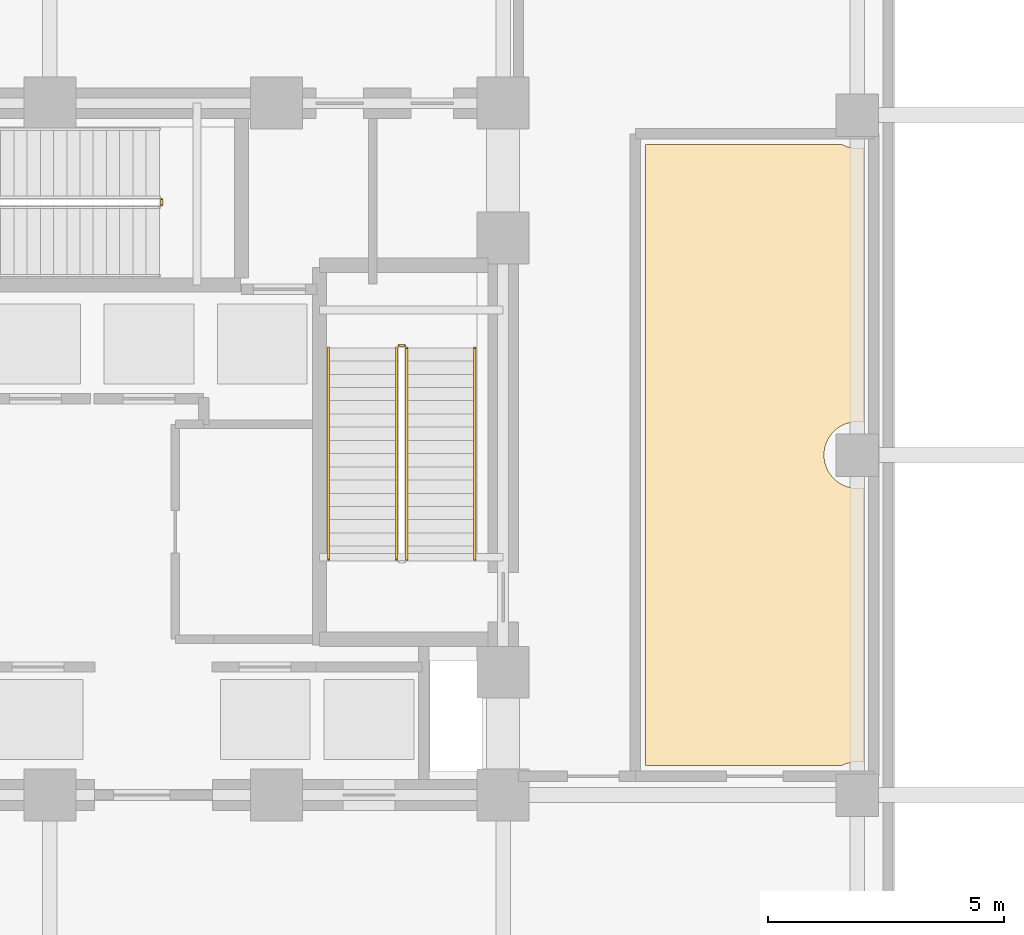
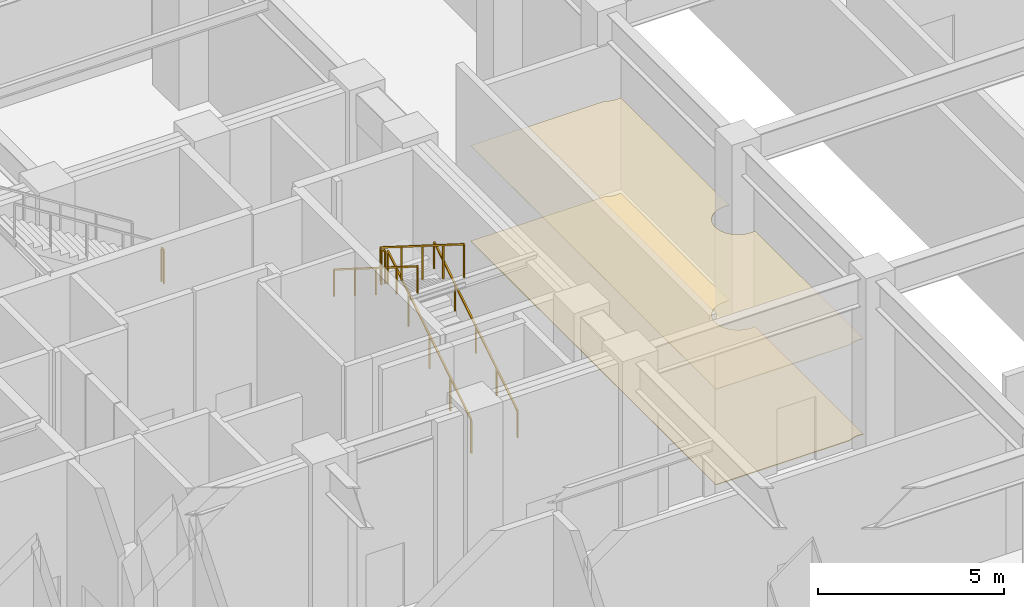
# One storey, part 20 of 23: 6 railings, 2 coverings.
"""IFC4 building model written with IfcOpenShell, lengths in metres."""

from ifc_helpers import new_model, si_unit, direction, frame, origin, origin_2d, place, context, subcontext, project, spatial, polyline, rectangle, outline, extrude, material, layer, layer_set, type_object, element, save


model = new_model("IFC4")

# Units and contexts
model_context = context("Model", 3, precision=1e-05, world=origin(), true_north=direction((0.0, 1.0)))
body_context = subcontext(model_context, "Body", "Model", "MODEL_VIEW")
ifc_project = project(units=[si_unit("LENGTHUNIT", "METRE"), si_unit("AREAUNIT", "SQUARE_METRE"), si_unit("VOLUMEUNIT", "CUBIC_METRE"), si_unit("PLANEANGLEUNIT", "RADIAN"), si_unit("MASSUNIT", "GRAM", prefix="KILO")], contexts=[model_context])

# Site, building, storey
site_placement = place(None, origin())
site = spatial("IfcSite", under=ifc_project, at=site_placement, CompositionType="ELEMENT")
building_placement = place(site_placement, origin())
building = spatial("IfcBuilding", under=site, at=building_placement, Name="Vantalir Tower", CompositionType="ELEMENT")
storey_placement = place(building_placement, origin())
storey = spatial("IfcBuildingStorey", under=building, at=storey_placement, Name="L00", CompositionType="ELEMENT", Elevation=0.0)

# Coverings
ifc_material_1 = material(Name="Perforated acoustic gypsum ceiling board", Category="gypsum")
ifc_layer_1 = layer(ifc_material_1, 0.02001953125)
ifc_layer_set_1 = layer_set([ifc_layer_1], Name="Perforated acoustic gypsum ceiling board")
covering_type_1 = type_object("IfcCoveringType", Name="COV-ACOUSTIC-CEIL-20", PredefinedType="CEILING", material=ifc_layer_set_1)
covering_1_placement = place(storey_placement, frame((0.0, 0.0, 3.1298828125)))
element("IfcCovering", 1, at=covering_1_placement, inside=storey, type_object=covering_type_1, Name="L00 Riverfront Tea Salon Suspended Ceiling", PredefinedType="CEILING", context=body_context, shape_type="SweptSolid", body=[
    extrude(outline(polyline([(48.72998046875, 31.507080078125), (48.6689453125, 31.498046875), (48.60009765625, 31.4951171875), (48.531005859375, 31.498046875), (48.4619140625, 31.509033203125), (48.39501953125, 31.52490234375), (48.330078125, 31.549072265625), (48.264892578125, 31.580078125), (44.1201171875, 31.580078125), (44.1201171875, 18.419921875), (48.26806640625, 18.422119140625), (48.330078125, 18.450927734375), (48.39501953125, 18.47509765625), (48.4619140625, 18.490966796875), (48.531005859375, 18.501953125), (48.60009765625, 18.5048828125), (48.6689453125, 18.501953125), (48.72998046875, 18.492919921875), (48.72998046875, 24.306884765625), (48.6689453125, 24.298095703125), (48.60009765625, 24.294921875), (48.531005859375, 24.298095703125), (48.4619140625, 24.30908203125), (48.39501953125, 24.324951171875), (48.330078125, 24.34912109375), (48.26806640625, 24.3779296875), (48.2080078125, 24.4140625), (48.153076171875, 24.455078125), (48.10107421875, 24.5009765625), (48.054931640625, 24.552978515625), (48.013916015625, 24.60791015625), (47.97802734375, 24.66796875), (47.948974609375, 24.72998046875), (47.925048828125, 24.794921875), (47.908935546875, 24.862060546875), (47.89794921875, 24.930908203125), (47.89501953125, 25.0), (47.89794921875, 25.069091796875), (47.908935546875, 25.137939453125), (47.925048828125, 25.205078125), (47.948974609375, 25.27001953125), (47.97802734375, 25.33203125), (48.013916015625, 25.39208984375), (48.054931640625, 25.447021484375), (48.10107421875, 25.4990234375), (48.153076171875, 25.544921875), (48.2080078125, 25.5859375), (48.26806640625, 25.6220703125), (48.330078125, 25.65087890625), (48.39501953125, 25.675048828125), (48.4619140625, 25.69091796875), (48.531005859375, 25.701904296875), (48.60009765625, 25.705078125), (48.6689453125, 25.701904296875), (48.72998046875, 25.693115234375), (48.72998046875, 31.507080078125)])), origin(), (0.0, 0.0, 1.0), 0.02001953125),
])
ifc_material_2 = material(Name="Tropical teak timber and terrazzo floor finish", Category="wood")
ifc_layer_2 = layer(ifc_material_2, 0.02490234375)
ifc_layer_set_2 = layer_set([ifc_layer_2], Name="Tropical teak timber and terrazzo floor finish")
covering_type_2 = type_object("IfcCoveringType", Name="COV-TIMBER-STONE-25", PredefinedType="FLOORING", material=ifc_layer_set_2)
covering_2_placement = place(storey_placement, origin())
element("IfcCovering", 2, at=covering_2_placement, inside=storey, type_object=covering_type_2, Name="L00 Riverfront Tea Salon Floor Finish", PredefinedType="FLOORING", context=body_context, shape_type="SweptSolid", body=[
    extrude(outline(polyline([(48.72998046875, 31.507080078125), (48.6689453125, 31.498046875), (48.60009765625, 31.4951171875), (48.531005859375, 31.498046875), (48.4619140625, 31.509033203125), (48.39501953125, 31.52490234375), (48.330078125, 31.549072265625), (48.264892578125, 31.580078125), (44.1201171875, 31.580078125), (44.1201171875, 18.419921875), (48.26806640625, 18.422119140625), (48.330078125, 18.450927734375), (48.39501953125, 18.47509765625), (48.4619140625, 18.490966796875), (48.531005859375, 18.501953125), (48.60009765625, 18.5048828125), (48.6689453125, 18.501953125), (48.72998046875, 18.492919921875), (48.72998046875, 24.306884765625), (48.6689453125, 24.298095703125), (48.60009765625, 24.294921875), (48.531005859375, 24.298095703125), (48.4619140625, 24.30908203125), (48.39501953125, 24.324951171875), (48.330078125, 24.34912109375), (48.26806640625, 24.3779296875), (48.2080078125, 24.4140625), (48.153076171875, 24.455078125), (48.10107421875, 24.5009765625), (48.054931640625, 24.552978515625), (48.013916015625, 24.60791015625), (47.97802734375, 24.66796875), (47.948974609375, 24.72998046875), (47.925048828125, 24.794921875), (47.908935546875, 24.862060546875), (47.89794921875, 24.930908203125), (47.89501953125, 25.0), (47.89794921875, 25.069091796875), (47.908935546875, 25.137939453125), (47.925048828125, 25.205078125), (47.948974609375, 25.27001953125), (47.97802734375, 25.33203125), (48.013916015625, 25.39208984375), (48.054931640625, 25.447021484375), (48.10107421875, 25.4990234375), (48.153076171875, 25.544921875), (48.2080078125, 25.5859375), (48.26806640625, 25.6220703125), (48.330078125, 25.65087890625), (48.39501953125, 25.675048828125), (48.4619140625, 25.69091796875), (48.531005859375, 25.701904296875), (48.60009765625, 25.705078125), (48.6689453125, 25.701904296875), (48.72998046875, 25.693115234375), (48.72998046875, 31.507080078125)])), origin(), (0.0, 0.0, 1.0), 0.02490234375),
])

# Railings
ifc_material_3 = material(Name="Anodised aluminium and stainless steel guard", Category="steel")
railing_type_1 = type_object("IfcRailingType", Name="RAL-GUARD-1120", PredefinedType="GUARDRAIL", material=ifc_material_3)
railing_1_placement = place(storey_placement, frame((39.06005859375, 22.7900390625, 0.176513671875)))
element("IfcRailing", 3, at=railing_1_placement, inside=storey, type_object=railing_type_1, Name="L00 ST2 stair guard 1", PredefinedType="GUARDRAIL", context=body_context, shape_type="SweptSolid", body=[
    extrude(rectangle(XDim=0.048095703125, YDim=0.048095703125, at=origin_2d()), frame((0.0, 0.0, 1.09619140625), z_axis=(0.0, 0.845997938375, 0.533186166611), x_axis=(-1.0, 0.0, 0.0)), (0.0, 0.0, 1.0), 5.29541015625),
    extrude(rectangle(XDim=0.0419921875, YDim=0.0419921875, at=origin_2d()), origin(), (0.0, 0.0, 1.0), 1.072021484375),
    extrude(rectangle(XDim=0.0419921875, YDim=0.0419921875, at=origin_2d()), frame((0.0, 1.1201171875, 0.705810546875)), (0.0, 0.0, 1.0), 1.072021484375),
    extrude(rectangle(XDim=0.0419921875, YDim=0.0419921875, at=origin_2d()), frame((0.0, 2.239990234375, 1.41162109375)), (0.0, 0.0, 1.0), 1.072021484375),
    extrude(rectangle(XDim=0.0419921875, YDim=0.0419921875, at=origin_2d()), frame((0.0, 3.35986328125, 2.11767578125)), (0.0, 0.0, 1.0), 1.072021484375),
    extrude(rectangle(XDim=0.0419921875, YDim=0.0419921875, at=origin_2d()), frame((0.0, 4.47998046875, 2.823486328125)), (0.0, 0.0, 1.0), 1.072021484375),
])
railing_2_placement = place(storey_placement, frame((39.010009765625, 27.320068359375, 3.0)))
element("IfcRailing", 4, at=railing_2_placement, inside=storey, type_object=railing_type_1, Name="L00 ST2 stair guard 2", PredefinedType="GUARDRAIL", context=body_context, shape_type="SweptSolid", body=[
    extrude(rectangle(XDim=0.048095703125, YDim=0.048095703125, at=origin_2d()), frame((0.0, 0.0, 1.09619140625), z_axis=(-1.0, 0.0, 0.0), x_axis=(0.0, -1.0, 0.0)), (0.0, 0.0, 1.0), 0.1201171875),
    extrude(rectangle(XDim=0.0419921875, YDim=0.0419921875, at=origin_2d()), origin(), (0.0, 0.0, 1.0), 1.072021484375),
    extrude(rectangle(XDim=0.0419921875, YDim=0.0419921875, at=origin_2d()), frame((-0.1201171875, 0.0, 0.0)), (0.0, 0.0, 1.0), 1.072021484375),
])
railing_3_placement = place(storey_placement, frame((38.840087890625, 27.27001953125, 3.176513671875)))
element("IfcRailing", 5, at=railing_3_placement, inside=storey, type_object=railing_type_1, Name="L00 ST2 stair guard 3", PredefinedType="GUARDRAIL", context=body_context, shape_type="SweptSolid", body=[
    extrude(rectangle(XDim=0.048095703125, YDim=0.048095703125, at=origin_2d()), frame((0.0, 0.0, 1.09619140625), z_axis=(0.0, -0.845997938375, 0.533186166611), x_axis=(1.0, 0.0, 0.0)), (0.0, 0.0, 1.0), 5.29541015625),
    extrude(rectangle(XDim=0.0419921875, YDim=0.0419921875, at=origin_2d()), origin(), (0.0, 0.0, 1.0), 1.072021484375),
    extrude(rectangle(XDim=0.0419921875, YDim=0.0419921875, at=origin_2d()), frame((0.0, -1.1201171875, 0.705810546875)), (0.0, 0.0, 1.0), 1.072021484375),
    extrude(rectangle(XDim=0.0419921875, YDim=0.0419921875, at=origin_2d()), frame((0.0, -2.239990234375, 1.41162109375)), (0.0, 0.0, 1.0), 1.072021484375),
    extrude(rectangle(XDim=0.0419921875, YDim=0.0419921875, at=origin_2d()), frame((0.0, -3.35986328125, 2.11767578125)), (0.0, 0.0, 1.0), 1.072021484375),
    extrude(rectangle(XDim=0.0419921875, YDim=0.0419921875, at=origin_2d()), frame((0.0, -4.47998046875, 2.823486328125)), (0.0, 0.0, 1.0), 1.072021484375),
])
railing_4_placement = place(storey_placement, frame((33.8701171875, 30.2900390625, 3.0)))
element("IfcRailing", 6, at=railing_4_placement, inside=storey, type_object=railing_type_1, Name="L00 ST3 stair guard 2", PredefinedType="GUARDRAIL", context=body_context, shape_type="SweptSolid", body=[
    extrude(rectangle(XDim=0.048095703125, YDim=0.048095703125, at=origin_2d()), frame((0.0, 0.0, 1.09619140625), z_axis=(0.0, 1.0, 0.0), x_axis=(-1.0, 0.0, 0.0)), (0.0, 0.0, 1.0), 0.119873046875),
    extrude(rectangle(XDim=0.0419921875, YDim=0.0419921875, at=origin_2d()), origin(), (0.0, 0.0, 1.0), 1.072021484375),
    extrude(rectangle(XDim=0.0419921875, YDim=0.0419921875, at=origin_2d()), frame((0.0, 0.119873046875, 0.0)), (0.0, 0.0, 1.0), 1.072021484375),
])
ifc_material_4 = material(Name="Brushed stainless steel tubular handrail", Category="steel")
railing_type_2 = type_object("IfcRailingType", Name="RAL-HANDRAIL-900", PredefinedType="HANDRAIL", material=ifc_material_4)
railing_5_placement = place(storey_placement, frame((40.5, 22.7900390625, 0.176513671875)))
element("IfcRailing", 7, at=railing_5_placement, inside=storey, type_object=railing_type_2, Name="L00 ST2 stair handrail 1", PredefinedType="HANDRAIL", context=body_context, shape_type="SweptSolid", body=[
    extrude(rectangle(XDim=0.048095703125, YDim=0.048095703125, at=origin_2d()), frame((0.0, 0.0, 0.8759765625), z_axis=(0.0, 0.845997938375, 0.533186166611), x_axis=(-1.0, 0.0, 0.0)), (0.0, 0.0, 1.0), 5.29541015625),
    extrude(rectangle(XDim=0.0419921875, YDim=0.0419921875, at=origin_2d()), origin(), (0.0, 0.0, 1.0), 0.851806640625),
    extrude(rectangle(XDim=0.0419921875, YDim=0.0419921875, at=origin_2d()), frame((0.0, 1.1201171875, 0.705810546875)), (0.0, 0.0, 1.0), 0.851806640625),
    extrude(rectangle(XDim=0.0419921875, YDim=0.0419921875, at=origin_2d()), frame((0.0, 2.239990234375, 1.41162109375)), (0.0, 0.0, 1.0), 0.851806640625),
    extrude(rectangle(XDim=0.0419921875, YDim=0.0419921875, at=origin_2d()), frame((0.0, 3.35986328125, 2.11767578125)), (0.0, 0.0, 1.0), 0.851806640625),
    extrude(rectangle(XDim=0.0419921875, YDim=0.0419921875, at=origin_2d()), frame((0.0, 4.47998046875, 2.823486328125)), (0.0, 0.0, 1.0), 0.851806640625),
])
railing_6_placement = place(storey_placement, frame((37.39990234375, 27.27001953125, 3.176513671875)))
element("IfcRailing", 8, at=railing_6_placement, inside=storey, type_object=railing_type_2, Name="L00 ST2 stair handrail 2", PredefinedType="HANDRAIL", context=body_context, shape_type="SweptSolid", body=[
    extrude(rectangle(XDim=0.048095703125, YDim=0.048095703125, at=origin_2d()), frame((0.0, 0.0, 0.8759765625), z_axis=(0.0, -0.845997938375, 0.533186166611), x_axis=(1.0, 0.0, 0.0)), (0.0, 0.0, 1.0), 5.29541015625),
    extrude(rectangle(XDim=0.0419921875, YDim=0.0419921875, at=origin_2d()), origin(), (0.0, 0.0, 1.0), 0.851806640625),
    extrude(rectangle(XDim=0.0419921875, YDim=0.0419921875, at=origin_2d()), frame((0.0, -1.1201171875, 0.705810546875)), (0.0, 0.0, 1.0), 0.851806640625),
    extrude(rectangle(XDim=0.0419921875, YDim=0.0419921875, at=origin_2d()), frame((0.0, -2.239990234375, 1.41162109375)), (0.0, 0.0, 1.0), 0.851806640625),
    extrude(rectangle(XDim=0.0419921875, YDim=0.0419921875, at=origin_2d()), frame((0.0, -3.35986328125, 2.11767578125)), (0.0, 0.0, 1.0), 0.851806640625),
    extrude(rectangle(XDim=0.0419921875, YDim=0.0419921875, at=origin_2d()), frame((0.0, -4.47998046875, 2.823486328125)), (0.0, 0.0, 1.0), 0.851806640625),
])

save(model, "model.ifc")
